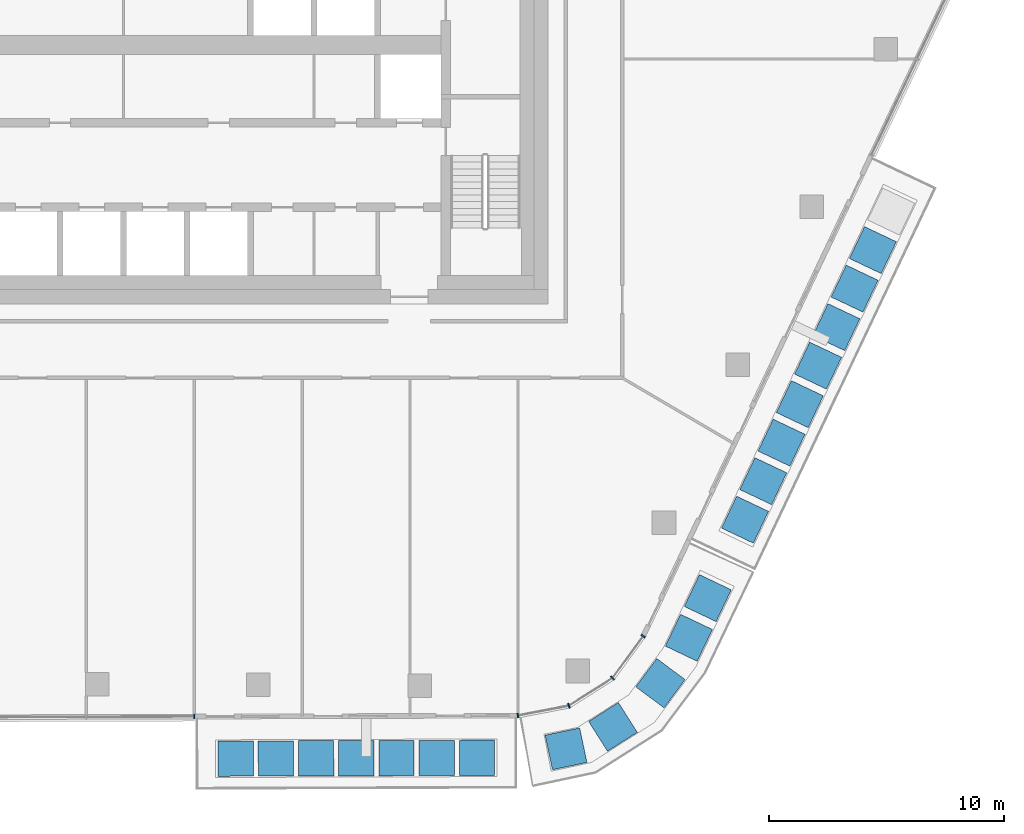
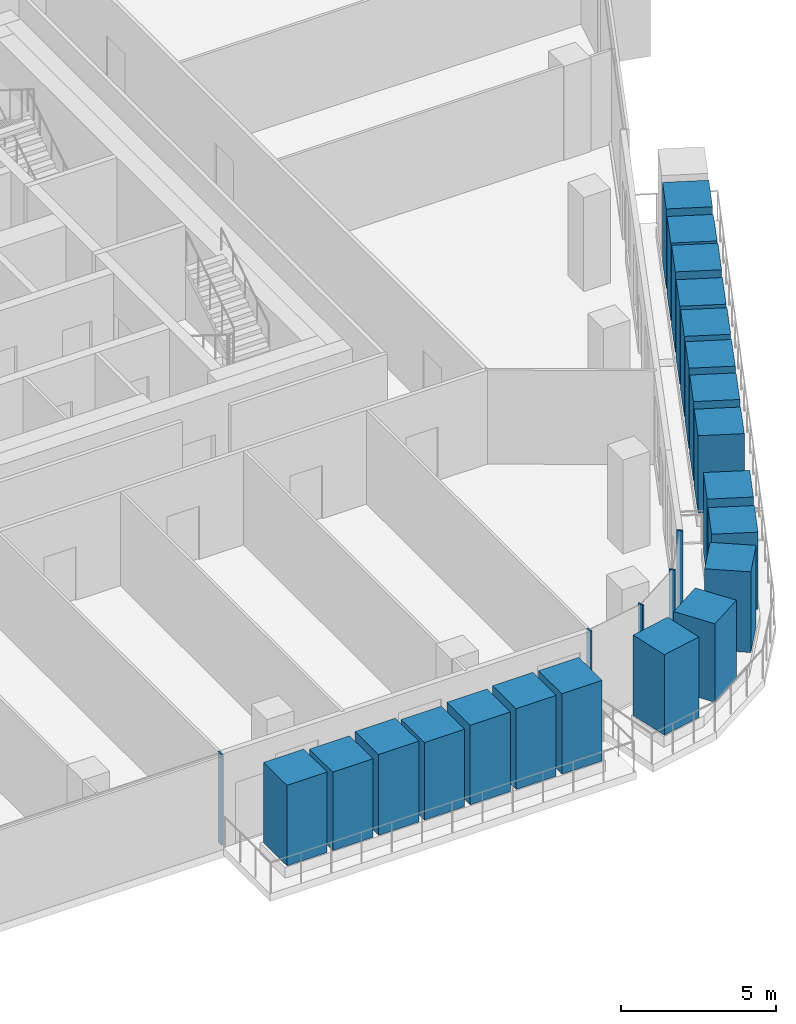
# One storey, part 4 of 24: 25 members, 2 elements without a shape of their own.
"""IFC4 building model written with IfcOpenShell, lengths in metres."""

import ifcopenshell
import ifcopenshell.guid

model = None  # the IFC model being written
_history = None  # IfcOwnerHistory: only IFC2X3 demands one
_inside = {}  # id of a spatial element -> (the spatial element, [elements in it])
_under = {}  # id of a project, library or spatial element -> (it, [spatial elements below it])
_declared = {}  # id of a project -> (the project, [libraries it declares])
_typed = {}  # id of a type object -> (the type object, [elements of that type])
_made_of = {}  # id of a material, layer set ... -> (it, [elements and type objects made of it])


def new_model(schema):
    """Start an empty IFC model of exactly this schema.

    Asked for "IFC4X3", IfcOpenShell would pick the latest addendum, in which some entities
    have other attributes; the version numbers below select the first issue.
    IFC2X3 requires an IfcOwnerHistory on every rooted entity: one is made here for all.
    """
    global model, _history
    if schema == "IFC4X3":
        model = ifcopenshell.file(schema_version=(4, 3, 0, 0))
    else:
        model = ifcopenshell.file(schema=schema)
    _inside.clear()
    _under.clear()
    _declared.clear()
    _typed.clear()
    _made_of.clear()
    _history = None
    if model.schema == "IFC2X3":
        org = make("IfcOrganization", Name="unknown")
        user = make(
            "IfcPersonAndOrganization",
            ThePerson=make("IfcPerson", FamilyName="unknown"),
            TheOrganization=org,
        )
        app = make(
            "IfcApplication",
            ApplicationDeveloper=org,
            Version="unknown",
            ApplicationFullName="unknown",
            ApplicationIdentifier="unknown",
        )
        _history = make(
            "IfcOwnerHistory",
            OwningUser=user,
            OwningApplication=app,
            ChangeAction="ADDED",
            CreationDate=0,
        )
    return model


def make(cls, **values):
    """One entity of the class cls with the attributes given. An attribute that is None is left unset."""
    return model.create_entity(
        cls, **{name: value for name, value in values.items() if value is not None}
    )


def rooted(cls, **values):
    """An entity with a GlobalId (a new one), such as an element, a storey or a relation."""
    return make(cls, GlobalId=ifcopenshell.guid.new(), OwnerHistory=_history, **values)


def si_unit(unit_type, name, prefix=None):
    """IfcSIUnit, for example si_unit("LENGTHUNIT", "METRE", prefix="MILLI")."""
    return make("IfcSIUnit", UnitType=unit_type, Prefix=prefix, Name=name)


def assignment(units):
    """IfcUnitAssignment: the units of a project."""
    return None if units is None else make("IfcUnitAssignment", Units=units)


def point(xyz):
    """IfcCartesianPoint."""
    return None if xyz is None else make("IfcCartesianPoint", Coordinates=xyz)


def direction(xyz):
    """IfcDirection."""
    return None if xyz is None else make("IfcDirection", DirectionRatios=xyz)


def frame(location, z_axis=None, x_axis=None):
    """IfcAxis2Placement3D, a coordinate frame: its origin and axes. An axis left out is left unset."""
    return make(
        "IfcAxis2Placement3D",
        Location=point(location),
        Axis=direction(z_axis),
        RefDirection=direction(x_axis),
    )


def frame_2d(location, x_axis=None):
    """IfcAxis2Placement2D, a coordinate frame in the plane: its origin and x axis."""
    return make(
        "IfcAxis2Placement2D", Location=point(location), RefDirection=direction(x_axis)
    )


def origin():
    """The frame at (0, 0, 0) with its axes left unset."""
    return frame((0.0, 0.0, 0.0))


def origin_2d():
    """The frame at (0, 0) in the plane with its x axis left unset."""
    return frame_2d((0.0, 0.0))


def place(relative_to, where):
    """IfcLocalPlacement: puts the frame where relative to a parent placement (None: the world)."""
    return make(
        "IfcLocalPlacement", PlacementRelTo=relative_to, RelativePlacement=where
    )


def context(
    kind, dimensions, precision=None, world=None, true_north=None, identifier=None
):
    """IfcGeometricRepresentationContext, for example the 3D "Model" context."""
    return make(
        "IfcGeometricRepresentationContext",
        ContextIdentifier=identifier,
        ContextType=kind,
        CoordinateSpaceDimension=dimensions,
        Precision=precision,
        WorldCoordinateSystem=world,
        TrueNorth=true_north,
    )


def subcontext(parent, identifier, kind, view, scale=None):
    """IfcGeometricRepresentationSubContext, for example "Body" below "Model"."""
    return make(
        "IfcGeometricRepresentationSubContext",
        ContextIdentifier=identifier,
        ContextType=kind,
        ParentContext=parent,
        TargetScale=scale,
        TargetView=view,
    )


def project(units=None, contexts=None):
    """IfcProject with its units and contexts."""
    return rooted(
        "IfcProject",
        Name="project",
        RepresentationContexts=contexts,
        UnitsInContext=assignment(units),
    )


def spatial(cls, under=None, at=None, **own):
    """A site, building, storey or space (cls), placed at a placement, below another one or the project."""
    s = rooted(cls, ObjectPlacement=at, **own)
    if under is not None:
        _under.setdefault(under.id(), (under, []))[1].append(s)
    return s


def profile(cls, at=None, kind="AREA", **sizes):
    """A parametric profile (cls). Its sizes go by their IFC names, for example OverallWidth=200.0."""
    return make(cls, ProfileType=kind, Position=at, **sizes)


def rectangle(**sizes):
    """IfcRectangleProfileDef."""
    return profile("IfcRectangleProfileDef", **sizes)


def extrude(swept, where, along, depth):
    """IfcExtrudedAreaSolid: the profile swept, set in the frame where, extruded along a direction by depth."""
    return make(
        "IfcExtrudedAreaSolid",
        SweptArea=swept,
        Position=where,
        ExtrudedDirection=direction(along),
        Depth=depth,
    )


def shape(context_of_items, identifier, shape_type, items):
    """IfcShapeRepresentation: the items that make up one representation, for example the "Body"."""
    return make(
        "IfcShapeRepresentation",
        ContextOfItems=context_of_items,
        RepresentationIdentifier=identifier,
        RepresentationType=shape_type,
        Items=items,
    )


def material(Name=None, Category=None):
    """IfcMaterial."""
    return make("IfcMaterial", Name=Name, Category=Category)


def layer(
    of_material, thickness, ventilated=None, Name=None, Category=None, Priority=None
):
    """IfcMaterialLayer: one layer of a wall or slab, of a material (None: an air gap)."""
    return make(
        "IfcMaterialLayer",
        Material=of_material,
        LayerThickness=thickness,
        IsVentilated=ventilated,
        Name=Name,
        Category=Category,
        Priority=Priority,
    )


def layer_set(layers, Name=None):
    """IfcMaterialLayerSet."""
    return make("IfcMaterialLayerSet", MaterialLayers=layers, LayerSetName=Name)


def material_profile(
    of_material, cross_section, Name=None, Category=None, Priority=None
):
    """IfcMaterialProfile: a cross section and its material."""
    return make(
        "IfcMaterialProfile",
        Name=Name,
        Material=of_material,
        Profile=cross_section,
        Priority=Priority,
        Category=Category,
    )


def profile_set(profiles, Name=None, composite=None):
    """IfcMaterialProfileSet."""
    return make(
        "IfcMaterialProfileSet",
        Name=Name,
        MaterialProfiles=profiles,
        CompositeProfile=composite,
    )


def made_of(thing, what):
    """Note that an element or type object is made of a material, layer set ...; save() writes the relation."""
    if what is not None:
        _made_of.setdefault(what.id(), (what, []))[1].append(thing)
    return thing


def type_object(cls, material=None, **own):
    """A type object (cls), such as IfcWallType, which elements share."""
    return made_of(rooted(cls, **own), material)


def element(
    cls,
    number,
    at=None,
    inside=None,
    cuts=None,
    type_object=None,
    material=None,
    context=None,
    identifier="Body",
    shape_type=None,
    held_by="IfcProductDefinitionShape",
    body=None,
    shapes=None,
    **own,
):
    """One element of the class cls, such as IfcWall. Its Tag is "e" and its number.

    at: its placement. inside: the storey or other place that contains it. cuts: it is an
    opening in that element (IfcRelVoidsElement). A single representation is given by context,
    identifier, shape_type and body (its items); several are given by shapes. held_by: the class
    of the entity that holds the representations. save() writes the other relations.
    """
    e = rooted(cls, Tag="e%d" % number, ObjectPlacement=at, **own)
    if body is not None:
        shapes = [shape(context, identifier, shape_type, body)]
    if shapes is not None:
        e.Representation = make(held_by, Representations=shapes)
    if inside is not None:
        _inside.setdefault(inside.id(), (inside, []))[1].append(e)
    if cuts is not None:
        rooted(
            "IfcRelVoidsElement", RelatingBuildingElement=cuts, RelatedOpeningElement=e
        )
    if type_object is not None:
        _typed.setdefault(type_object.id(), (type_object, []))[1].append(e)
    return made_of(e, material)


def aggregate(whole, parts):
    """IfcRelAggregates: a whole, such as a stair, and the parts it consists of."""
    return rooted("IfcRelAggregates", RelatingObject=whole, RelatedObjects=parts)


def save(model, path):
    """Write the relations noted so far, then the file.

    IfcRelAggregates (storeys below a building ...), IfcRelContainedInSpatialStructure (elements
    in a storey), IfcRelDefinesByType, IfcRelAssociatesMaterial and IfcRelDeclares: one each for
    every whole, place, type object, material and project.
    """
    for whole, parts in _under.values():
        aggregate(whole, parts)
    for where, things in _inside.values():
        rooted(
            "IfcRelContainedInSpatialStructure",
            RelatedElements=things,
            RelatingStructure=where,
        )
    for kind, things in _typed.values():
        rooted("IfcRelDefinesByType", RelatedObjects=things, RelatingType=kind)
    for what, things in _made_of.values():
        rooted("IfcRelAssociatesMaterial", RelatedObjects=things, RelatingMaterial=what)
    for by, libraries in _declared.values():
        rooted("IfcRelDeclares", RelatingContext=by, RelatedDefinitions=libraries)
    model.write(path)


model = new_model("IFC4")

# Units and contexts
model_context = context("Model", 3, precision=1e-05, world=origin(), true_north=direction((0.0, 1.0)))
body_context = subcontext(model_context, "Body", "Model", "MODEL_VIEW")
ifc_project = project(units=[si_unit("LENGTHUNIT", "METRE"), si_unit("AREAUNIT", "SQUARE_METRE"), si_unit("VOLUMEUNIT", "CUBIC_METRE"), si_unit("PLANEANGLEUNIT", "RADIAN"), si_unit("MASSUNIT", "GRAM", prefix="KILO")], contexts=[model_context])

# Site, building, storey
site_placement = place(None, origin())
site = spatial("IfcSite", under=ifc_project, at=site_placement, CompositionType="ELEMENT")
building_placement = place(site_placement, origin())
building = spatial("IfcBuilding", under=site, at=building_placement, Name="Dongbaek Canopy Tower", CompositionType="ELEMENT")
storey_placement = place(building_placement, frame((0.0, 0.0, 348.800048828125)))
storey = spatial("IfcBuildingStorey", under=building, at=storey_placement, Name="L75", CompositionType="ELEMENT", Elevation=348.800048828125)

# Curtain wall, member
ifc_material_1 = material(Name="Aluminium 6063-T6 pale anodised", Category="aluminium")
ifc_layer = layer(ifc_material_1, 0.199951171875)
ifc_layer_set = layer_set([ifc_layer], Name="CW-1 unitised tower curtain wall")
curtain_wall_type = type_object("IfcCurtainWallType", Name="CW-1 unitised tower curtain wall", PredefinedType="NOTDEFINED", material=ifc_layer_set)
curtain_wall_1_placement = place(storey_placement, origin())
curtain_wall_1 = element("IfcCurtainWall", 1, at=curtain_wall_1_placement, inside=storey, type_object=curtain_wall_type, Name="CW-1 curtain wall F4.1", PredefinedType="NOTDEFINED")
ifc_material_2 = material(Name="Aluminium 6063-T6 pale anodised", Category="aluminium")
ifc_material_profile_1 = material_profile(ifc_material_2, rectangle(XDim=0.199951171875, YDim=0.06005859375, at=origin_2d()), Name="CW-1 mullion 60 x 200")
ifc_profile_set_1 = profile_set([ifc_material_profile_1], Name="Aluminium 6063-T6 pale anodised")
member_type_1 = type_object("IfcMemberType", Name="CW-1 mullion 60 x 200", PredefinedType="MULLION", material=ifc_profile_set_1)
member_1_placement = place(storey_placement, frame((-1.04248046875, -28.545654296875, 0.119873046875), z_axis=(0.0, 0.0, 1.0), x_axis=(0.003065600754, -0.999995301035, 0.0)))
member_1 = element("IfcMember", 2, at=member_1_placement, type_object=member_type_1, Name="CW-1 mullion F4.1.3", PredefinedType="MULLION", context=body_context, shape_type="SweptSolid", body=[
    extrude(rectangle(XDim=0.199951171875, YDim=0.06005859375, at=origin_2d()), origin(), (0.0, 0.0, 1.0), 3.580078125),
])
aggregate(curtain_wall_1, [member_1])

# Curtain wall, members
curtain_wall_2_placement = place(storey_placement, origin())
curtain_wall_2 = element("IfcCurtainWall", 3, at=curtain_wall_2_placement, inside=storey, type_object=curtain_wall_type, Name="CW-1 curtain wall K5.1", PredefinedType="NOTDEFINED")
member_2_placement = place(storey_placement, frame((12.7158203125, -28.50341796875, 0.0), z_axis=(0.0, 0.0, 1.0), x_axis=(0.189393736027, -0.981901223522, 0.0)))
member_2 = element("IfcMember", 4, at=member_2_placement, type_object=member_type_1, Name="CW-1 mullion K5.1.1", PredefinedType="MULLION", context=body_context, shape_type="SweptSolid", body=[
    extrude(rectangle(XDim=0.199951171875, YDim=0.06005859375, at=origin_2d()), origin(), (0.0, 0.0, 1.0), 3.699951171875),
])
member_3_placement = place(storey_placement, frame((14.884033203125, -28.085205078125, 0.0), z_axis=(0.0, 0.0, 1.0), x_axis=(0.369084459953, -0.929395858298, 0.0)))
member_3 = element("IfcMember", 5, at=member_3_placement, type_object=member_type_1, Name="CW-1 mullion K5.1.2", PredefinedType="MULLION", context=body_context, shape_type="SweptSolid", body=[
    extrude(rectangle(XDim=0.199951171875, YDim=0.06005859375, at=origin_2d()), origin(), (0.0, 0.0, 1.0), 3.699951171875),
])
member_4_placement = place(storey_placement, frame((16.740234375, -26.906982421875, 0.0), z_axis=(0.0, 0.0, 1.0), x_axis=(0.683817525152, -0.729653062966, 0.0)))
member_4 = element("IfcMember", 6, at=member_4_placement, type_object=member_type_1, Name="CW-1 mullion K5.1.3", PredefinedType="MULLION", context=body_context, shape_type="SweptSolid", body=[
    extrude(rectangle(XDim=0.199951171875, YDim=0.06005859375, at=origin_2d()), origin(), (0.0, 0.0, 1.0), 3.699951171875),
])
member_5_placement = place(storey_placement, frame((18.0419921875, -25.123291015625, 0.0), z_axis=(0.0, 0.0, 1.0), x_axis=(0.80782986686, -0.589415732916, 0.0)))
member_5 = element("IfcMember", 7, at=member_5_placement, type_object=member_type_1, Name="CW-1 mullion K5.1.4", PredefinedType="MULLION", context=body_context, shape_type="SweptSolid", body=[
    extrude(rectangle(XDim=0.199951171875, YDim=0.06005859375, at=origin_2d()), origin(), (0.0, 0.0, 1.0), 3.699951171875),
])
aggregate(curtain_wall_2, [member_2, member_3, member_4, member_5])

# Members
ifc_material_3 = material(Name="Concrete C40/50 planter mass with planting", Category="concrete")
ifc_material_profile_2 = material_profile(ifc_material_3, rectangle(XDim=1.5, YDim=1.5, at=origin_2d()), Name="Terrace PLANTER shrub mass 1500 x 1500")
ifc_profile_set_2 = profile_set([ifc_material_profile_2], Name="Concrete C40/50 planter mass with planting")
member_type_2 = type_object("IfcMemberType", Name="Terrace PLANTER shrub mass 1500 x 1500", PredefinedType="USERDEFINED", material=ifc_profile_set_2)
member_6_placement = place(storey_placement, frame((0.7177734375, -30.330322265625, 0.419921875), z_axis=(0.0, 0.0, 1.0), x_axis=(0.003065600754, -0.999995301035, 0.0)))
element("IfcMember", 8, at=member_6_placement, inside=storey, type_object=member_type_2, Name="Planter shrubs L75 4.1", ObjectType="PLANTER", PredefinedType="USERDEFINED", context=body_context, shape_type="SweptSolid", body=[
    extrude(rectangle(XDim=1.5, YDim=1.5, at=origin_2d()), origin(), (0.0, 0.0, 1.0), 3.169921875),
])
member_7_placement = place(storey_placement, frame((2.427490234375, -30.324951171875, 0.419921875), z_axis=(0.0, 0.0, 1.0), x_axis=(0.003065600754, -0.999995301035, 0.0)))
element("IfcMember", 9, at=member_7_placement, inside=storey, type_object=member_type_2, Name="Planter shrubs L75 4.2", ObjectType="PLANTER", PredefinedType="USERDEFINED", context=body_context, shape_type="SweptSolid", body=[
    extrude(rectangle(XDim=1.5, YDim=1.5, at=origin_2d()), origin(), (0.0, 0.0, 1.0), 3.090087890625),
])
member_8_placement = place(storey_placement, frame((4.13720703125, -30.31982421875, 0.419921875), z_axis=(0.0, 0.0, 1.0), x_axis=(0.003065600754, -0.999995301035, 0.0)))
element("IfcMember", 10, at=member_8_placement, inside=storey, type_object=member_type_2, Name="Planter shrubs L75 4.3", ObjectType="PLANTER", PredefinedType="USERDEFINED", context=body_context, shape_type="SweptSolid", body=[
    extrude(rectangle(XDim=1.5, YDim=1.5, at=origin_2d()), origin(), (0.0, 0.0, 1.0), 3.179931640625),
])
member_9_placement = place(storey_placement, frame((5.8466796875, -30.314453125, 0.419921875), z_axis=(0.0, 0.0, 1.0), x_axis=(0.003065600754, -0.999995301035, 0.0)))
element("IfcMember", 11, at=member_9_placement, inside=storey, type_object=member_type_2, Name="Planter shrubs L75 4.4", ObjectType="PLANTER", PredefinedType="USERDEFINED", context=body_context, shape_type="SweptSolid", body=[
    extrude(rectangle(XDim=1.5, YDim=1.5, at=origin_2d()), origin(), (0.0, 0.0, 1.0), 3.050048828125),
])
member_10_placement = place(storey_placement, frame((7.556396484375, -30.309326171875, 0.419921875), z_axis=(0.0, 0.0, 1.0), x_axis=(0.003065600754, -0.999995301035, 0.0)))
element("IfcMember", 12, at=member_10_placement, inside=storey, type_object=member_type_2, Name="Planter shrubs L75 4.5", ObjectType="PLANTER", PredefinedType="USERDEFINED", context=body_context, shape_type="SweptSolid", body=[
    extrude(rectangle(XDim=1.5, YDim=1.5, at=origin_2d()), origin(), (0.0, 0.0, 1.0), 3.130126953125),
])
member_11_placement = place(storey_placement, frame((9.26611328125, -30.303955078125, 0.419921875), z_axis=(0.0, 0.0, 1.0), x_axis=(0.003065600754, -0.999995301035, 0.0)))
element("IfcMember", 13, at=member_11_placement, inside=storey, type_object=member_type_2, Name="Planter shrubs L75 4.6", ObjectType="PLANTER", PredefinedType="USERDEFINED", context=body_context, shape_type="SweptSolid", body=[
    extrude(rectangle(XDim=1.5, YDim=1.5, at=origin_2d()), origin(), (0.0, 0.0, 1.0), 3.179931640625),
])
member_12_placement = place(storey_placement, frame((10.975830078125, -30.298828125, 0.419921875), z_axis=(0.0, 0.0, 1.0), x_axis=(0.003065600754, -0.999995301035, 0.0)))
element("IfcMember", 14, at=member_12_placement, inside=storey, type_object=member_type_2, Name="Planter shrubs L75 4.7", ObjectType="PLANTER", PredefinedType="USERDEFINED", context=body_context, shape_type="SweptSolid", body=[
    extrude(rectangle(XDim=1.5, YDim=1.5, at=origin_2d()), origin(), (0.0, 0.0, 1.0), 3.169921875),
])
member_13_placement = place(storey_placement, frame((22.368896484375, -20.177001953125, 0.419921875), z_axis=(0.0, 0.0, 1.0), x_axis=(0.903531350723, -0.428521992738, 0.0)))
element("IfcMember", 15, at=member_13_placement, inside=storey, type_object=member_type_2, Name="Planter shrubs L75 5.1", ObjectType="PLANTER", PredefinedType="USERDEFINED", context=body_context, shape_type="SweptSolid", body=[
    extrude(rectangle(XDim=1.5, YDim=1.5, at=origin_2d()), origin(), (0.0, 0.0, 1.0), 3.050048828125),
])
member_14_placement = place(storey_placement, frame((23.145263671875, -18.5400390625, 0.419921875), z_axis=(0.0, 0.0, 1.0), x_axis=(0.903531350723, -0.428521992738, 0.0)))
element("IfcMember", 16, at=member_14_placement, inside=storey, type_object=member_type_2, Name="Planter shrubs L75 5.2", ObjectType="PLANTER", PredefinedType="USERDEFINED", context=body_context, shape_type="SweptSolid", body=[
    extrude(rectangle(XDim=1.5, YDim=1.5, at=origin_2d()), origin(), (0.0, 0.0, 1.0), 3.130126953125),
])
member_15_placement = place(storey_placement, frame((23.921630859375, -16.90283203125, 0.419921875), z_axis=(0.0, 0.0, 1.0), x_axis=(0.903531350723, -0.428521992738, 0.0)))
element("IfcMember", 17, at=member_15_placement, inside=storey, type_object=member_type_2, Name="Planter shrubs L75 5.3", ObjectType="PLANTER", PredefinedType="USERDEFINED", context=body_context, shape_type="SweptSolid", body=[
    extrude(rectangle(XDim=1.5, YDim=1.5, at=origin_2d()), origin(), (0.0, 0.0, 1.0), 3.179931640625),
])
member_16_placement = place(storey_placement, frame((24.6982421875, -15.265869140625, 0.419921875), z_axis=(0.0, 0.0, 1.0), x_axis=(0.903531350723, -0.428521992738, 0.0)))
element("IfcMember", 18, at=member_16_placement, inside=storey, type_object=member_type_2, Name="Planter shrubs L75 5.4", ObjectType="PLANTER", PredefinedType="USERDEFINED", context=body_context, shape_type="SweptSolid", body=[
    extrude(rectangle(XDim=1.5, YDim=1.5, at=origin_2d()), origin(), (0.0, 0.0, 1.0), 3.169921875),
])
member_17_placement = place(storey_placement, frame((25.474609375, -13.628662109375, 0.419921875), z_axis=(0.0, 0.0, 1.0), x_axis=(0.903531350723, -0.428521992738, 0.0)))
element("IfcMember", 19, at=member_17_placement, inside=storey, type_object=member_type_2, Name="Planter shrubs L75 5.5", ObjectType="PLANTER", PredefinedType="USERDEFINED", context=body_context, shape_type="SweptSolid", body=[
    extrude(rectangle(XDim=1.5, YDim=1.5, at=origin_2d()), origin(), (0.0, 0.0, 1.0), 3.090087890625),
])
member_18_placement = place(storey_placement, frame((26.2509765625, -11.99169921875, 0.419921875), z_axis=(0.0, 0.0, 1.0), x_axis=(0.903531350723, -0.428521992738, 0.0)))
element("IfcMember", 20, at=member_18_placement, inside=storey, type_object=member_type_2, Name="Planter shrubs L75 5.6", ObjectType="PLANTER", PredefinedType="USERDEFINED", context=body_context, shape_type="SweptSolid", body=[
    extrude(rectangle(XDim=1.5, YDim=1.5, at=origin_2d()), origin(), (0.0, 0.0, 1.0), 3.179931640625),
])
member_19_placement = place(storey_placement, frame((27.02734375, -10.3544921875, 0.419921875), z_axis=(0.0, 0.0, 1.0), x_axis=(0.903531350723, -0.428521992738, 0.0)))
element("IfcMember", 21, at=member_19_placement, inside=storey, type_object=member_type_2, Name="Planter shrubs L75 5.7", ObjectType="PLANTER", PredefinedType="USERDEFINED", context=body_context, shape_type="SweptSolid", body=[
    extrude(rectangle(XDim=1.5, YDim=1.5, at=origin_2d()), origin(), (0.0, 0.0, 1.0), 3.050048828125),
])
member_20_placement = place(storey_placement, frame((27.803955078125, -8.717529296875, 0.419921875), z_axis=(0.0, 0.0, 1.0), x_axis=(0.903531350723, -0.428521992738, 0.0)))
element("IfcMember", 22, at=member_20_placement, inside=storey, type_object=member_type_2, Name="Planter shrubs L75 5.8", ObjectType="PLANTER", PredefinedType="USERDEFINED", context=body_context, shape_type="SweptSolid", body=[
    extrude(rectangle(XDim=1.5, YDim=1.5, at=origin_2d()), origin(), (0.0, 0.0, 1.0), 3.130126953125),
])
member_21_placement = place(storey_placement, frame((14.76171875, -29.916748046875, 0.419921875), z_axis=(0.0, 0.0, 1.0), x_axis=(0.207513803647, -0.978232089688, 0.0)))
element("IfcMember", 23, at=member_21_placement, inside=storey, type_object=member_type_2, Name="Planter shrubs L75 8.1", ObjectType="PLANTER", PredefinedType="USERDEFINED", context=body_context, shape_type="SweptSolid", body=[
    extrude(rectangle(XDim=1.5, YDim=1.5, at=origin_2d()), origin(), (0.0, 0.0, 1.0), 3.169921875),
])
member_22_placement = place(storey_placement, frame((16.75537109375, -28.982421875, 0.419921875), z_axis=(0.0, 0.0, 1.0), x_axis=(0.535840408733, -0.844319285797, 0.0)))
element("IfcMember", 24, at=member_22_placement, inside=storey, type_object=member_type_2, Name="Planter shrubs L75 8.2", ObjectType="PLANTER", PredefinedType="USERDEFINED", context=body_context, shape_type="SweptSolid", body=[
    extrude(rectangle(XDim=1.5, YDim=1.5, at=origin_2d()), origin(), (0.0, 0.0, 1.0), 3.090087890625),
])
member_23_placement = place(storey_placement, frame((18.773193359375, -27.12646484375, 0.419921875), z_axis=(0.0, 0.0, 1.0), x_axis=(0.802975435976, -0.596012121705, 0.0)))
element("IfcMember", 25, at=member_23_placement, inside=storey, type_object=member_type_2, Name="Planter shrubs L75 8.3", ObjectType="PLANTER", PredefinedType="USERDEFINED", context=body_context, shape_type="SweptSolid", body=[
    extrude(rectangle(XDim=1.5, YDim=1.5, at=origin_2d()), origin(), (0.0, 0.0, 1.0), 3.179931640625),
])
member_24_placement = place(storey_placement, frame((19.982421875, -25.19580078125, 0.419921875), z_axis=(0.0, 0.0, 1.0), x_axis=(0.902678275994, -0.43031608156, 0.0)))
element("IfcMember", 26, at=member_24_placement, inside=storey, type_object=member_type_2, Name="Planter shrubs L75 8.4", ObjectType="PLANTER", PredefinedType="USERDEFINED", context=body_context, shape_type="SweptSolid", body=[
    extrude(rectangle(XDim=1.5, YDim=1.5, at=origin_2d()), origin(), (0.0, 0.0, 1.0), 3.050048828125),
])
member_25_placement = place(storey_placement, frame((20.7861328125, -23.510009765625, 0.419921875), z_axis=(0.0, 0.0, 1.0), x_axis=(0.902678275994, -0.43031608156, 0.0)))
element("IfcMember", 27, at=member_25_placement, inside=storey, type_object=member_type_2, Name="Planter shrubs L75 8.5", ObjectType="PLANTER", PredefinedType="USERDEFINED", context=body_context, shape_type="SweptSolid", body=[
    extrude(rectangle(XDim=1.5, YDim=1.5, at=origin_2d()), origin(), (0.0, 0.0, 1.0), 3.130126953125),
])

save(model, "model.ifc")
